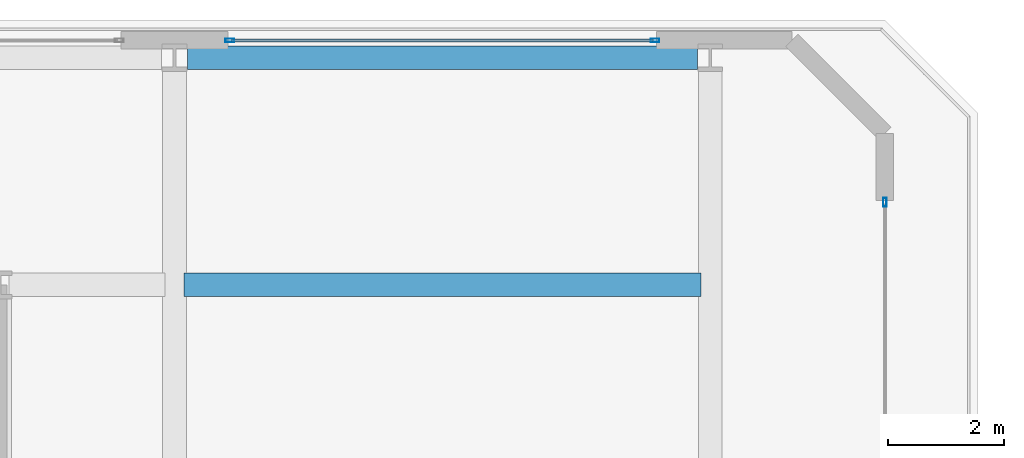
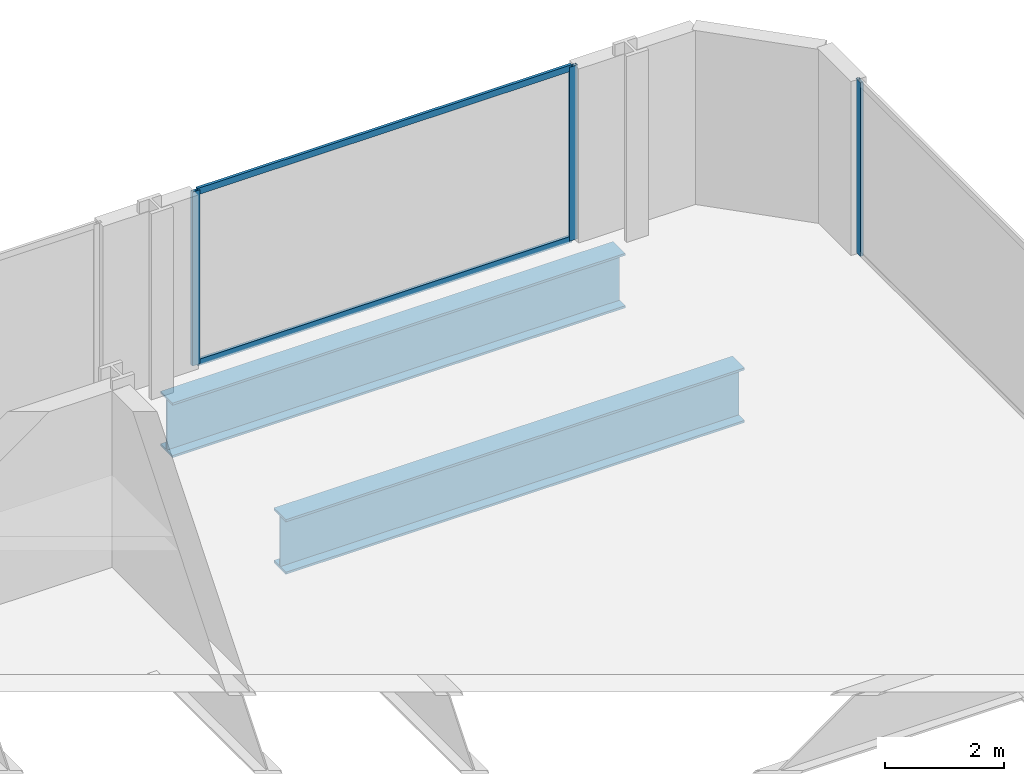
# One storey, part 19 of 26: 5 members, 2 beams, 2 elements without a shape of their own.
"""IFC4 building model written with IfcOpenShell, lengths in metres."""

from ifc_helpers import new_model, si_unit, direction, frame, origin, origin_2d, place, context, subcontext, project, spatial, hollow_rectangle, i_section, extrude, material, layer, layer_set, material_profile, profile_set, type_object, element, aggregate, save


model = new_model("IFC4")

# Units and contexts
model_context = context("Model", 3, precision=1e-05, world=origin(), true_north=direction((0.0, 1.0)))
body_context = subcontext(model_context, "Body", "Model", "MODEL_VIEW")
ifc_project = project(units=[si_unit("LENGTHUNIT", "METRE"), si_unit("AREAUNIT", "SQUARE_METRE"), si_unit("VOLUMEUNIT", "CUBIC_METRE"), si_unit("PLANEANGLEUNIT", "RADIAN"), si_unit("MASSUNIT", "GRAM", prefix="KILO")], contexts=[model_context])

# Site, building, storey
site_placement = place(None, origin())
site = spatial("IfcSite", under=ifc_project, at=site_placement, CompositionType="ELEMENT")
building_placement = place(site_placement, origin())
building = spatial("IfcBuilding", under=site, at=building_placement, Name="Zuhayl Quay Hotel", CompositionType="ELEMENT")
storey_placement = place(building_placement, frame((0.0, 0.0, 301.050048828125)))
storey = spatial("IfcBuildingStorey", under=building, at=storey_placement, Name="Crown 2", CompositionType="ELEMENT", Elevation=301.050048828125)

# Beams
ifc_material_1 = material(Name="Steel ASTM A913 Grade 65", Category="steel")
ifc_material_profile_1 = material_profile(ifc_material_1, i_section(OverallWidth=0.404052734375, OverallDepth=1.117919921875, WebThickness=0.026123046875, FlangeThickness=0.044921875, at=origin_2d()), Name="W44X335")
ifc_profile_set_1 = profile_set([ifc_material_profile_1], Name="Steel ASTM A913 Grade 65")
beam_type = type_object("IfcBeamType", Name="BM_TG1_W44X335", PredefinedType="BEAM", material=ifc_profile_set_1)
beam_1_placement = place(storey_placement, frame((4.760009765625, 34.449951171875, -0.799072265625), z_axis=(1.0, 0.0, 0.0), x_axis=(0.0, 1.0, 0.0)))
element("IfcBeam", 1, at=beam_1_placement, inside=storey, type_object=beam_type, Name="Crown 2 Floor Beam CR_EW_2_2_5", PredefinedType="BEAM", context=body_context, shape_type="SweptSolid", body=[
    extrude(i_section(OverallWidth=0.404052734375, OverallDepth=1.117919921875, WebThickness=0.026123046875, FlangeThickness=0.044921875, at=origin_2d()), origin(), (0.0, 0.0, 1.0), 8.8798828125),
])
beam_2_placement = place(storey_placement, frame((4.820068359375, 38.35009765625, -0.799072265625), z_axis=(1.0, 0.0, 0.0), x_axis=(0.0, 1.0, 0.0)))
element("IfcBeam", 2, at=beam_2_placement, inside=storey, type_object=beam_type, Name="Crown 2 Floor Beam CR_N_E_2", PredefinedType="BEAM", context=body_context, shape_type="SweptSolid", body=[
    extrude(i_section(OverallWidth=0.404052734375, OverallDepth=1.117919921875, WebThickness=0.026123046875, FlangeThickness=0.044921875, at=origin_2d()), origin(), (0.0, 0.0, 1.0), 8.760009765625),
])

# Curtain wall, members
ifc_material_2 = material(Name="Anodised Aluminium 6063-T6", Category="aluminium")
ifc_layer = layer(ifc_material_2, 0.159912109375, Name="Anodised Aluminium 6063-T6", Category="aluminium")
ifc_layer_set = layer_set([ifc_layer], Name="Anodised Aluminium 6063-T6")
curtain_wall_type = type_object("IfcCurtainWallType", Name="CW_SYS_CRN", PredefinedType="USERDEFINED", material=ifc_layer_set)
curtain_wall_1_placement = place(storey_placement, origin())
curtain_wall_1 = element("IfcCurtainWall", 3, at=curtain_wall_1_placement, inside=storey, type_object=curtain_wall_type, Name="Crown 2 Curtain Wall ENV_CR2_E3_CW4", ObjectType="UNITISED CURTAIN WALL", PredefinedType="USERDEFINED")
ifc_material_3 = material(Name="Black-anodised aluminium 6063-T6", Category="aluminium")
ifc_material_profile_2 = material_profile(ifc_material_3, hollow_rectangle(XDim=0.06005859375, YDim=0.14990234375, WallThickness=0.00341796875, at=origin_2d()), Name="ALU150X60")
ifc_profile_set_2 = profile_set([ifc_material_profile_2], Name="Black-anodised aluminium 6063-T6")
member_type_1 = type_object("IfcMemberType", Name="MB_CW_MUL_150", PredefinedType="MULLION", material=ifc_profile_set_2)
member_1_placement = place(storey_placement, frame((5.550048828125, 38.64990234375, 0.0), z_axis=(0.0, 0.0, 1.0), x_axis=(0.0, 1.0, 0.0)))
member_1 = element("IfcMember", 4, at=member_1_placement, type_object=member_type_1, Name="CW-CRN mullion 1", PredefinedType="MULLION", context=body_context, shape_type="SweptSolid", body=[
    extrude(hollow_rectangle(XDim=0.06005859375, YDim=0.14990234375, WallThickness=0.00341796875, at=origin_2d()), origin(), (0.0, 0.0, 1.0), 3.56005859375),
])
member_2_placement = place(storey_placement, frame((12.85009765625, 38.64990234375, 0.0), z_axis=(0.0, 0.0, 1.0), x_axis=(0.0, 1.0, 0.0)))
member_2 = element("IfcMember", 5, at=member_2_placement, type_object=member_type_1, Name="CW-CRN mullion 2", PredefinedType="MULLION", context=body_context, shape_type="SweptSolid", body=[
    extrude(hollow_rectangle(XDim=0.06005859375, YDim=0.14990234375, WallThickness=0.00341796875, at=origin_2d()), origin(), (0.0, 0.0, 1.0), 3.56005859375),
])

# Curtain wall, member
curtain_wall_2_placement = place(storey_placement, origin())
curtain_wall_2 = element("IfcCurtainWall", 6, at=curtain_wall_2_placement, inside=storey, type_object=curtain_wall_type, Name="Crown 2 Curtain Wall ENV_CR2_E5_CW1", ObjectType="UNITISED CURTAIN WALL", PredefinedType="USERDEFINED")
member_3_placement = place(storey_placement, frame((16.800048828125, 35.8701171875, 0.0), z_axis=(0.0, 0.0, 1.0), x_axis=(1.0, 0.0, 0.0)))
member_3 = element("IfcMember", 7, at=member_3_placement, type_object=member_type_1, Name="CW-CRN mullion 1", PredefinedType="MULLION", context=body_context, shape_type="SweptSolid", body=[
    extrude(hollow_rectangle(XDim=0.06005859375, YDim=0.14990234375, WallThickness=0.00341796875, at=origin_2d()), origin(), (0.0, 0.0, 1.0), 3.56005859375),
])
aggregate(curtain_wall_2, [member_3])

# Member
ifc_material_profile_3 = material_profile(ifc_material_3, hollow_rectangle(XDim=0.054931640625, YDim=0.1298828125, WallThickness=0.0029296875, at=origin_2d()), Name="ALU130X55")
ifc_profile_set_3 = profile_set([ifc_material_profile_3], Name="Black-anodised aluminium 6063-T6")
member_type_2 = type_object("IfcMemberType", Name="MB_CW_TRN_130", PredefinedType="USERDEFINED", material=ifc_profile_set_3)
member_4_placement = place(storey_placement, frame((5.580078125, 38.64990234375, 0.02734375), z_axis=(1.0, 0.0, 0.0), x_axis=(0.0, 1.0, 0.0)))
member_4 = element("IfcMember", 8, at=member_4_placement, type_object=member_type_2, Name="CW-CRN transom 1.1", ObjectType="TRANSOM", PredefinedType="USERDEFINED", context=body_context, shape_type="SweptSolid", body=[
    extrude(hollow_rectangle(XDim=0.054931640625, YDim=0.1298828125, WallThickness=0.0029296875, at=origin_2d()), origin(), (0.0, 0.0, 1.0), 7.239990234375),
])

member_5_placement = place(storey_placement, frame((5.580078125, 38.64990234375, 3.532470703125), z_axis=(1.0, 0.0, 0.0), x_axis=(0.0, 1.0, 0.0)))
member_5 = element("IfcMember", 9, at=member_5_placement, type_object=member_type_2, Name="CW-CRN transom 1.2", ObjectType="TRANSOM", PredefinedType="USERDEFINED", context=body_context, shape_type="SweptSolid", body=[
    extrude(hollow_rectangle(XDim=0.054931640625, YDim=0.1298828125, WallThickness=0.0029296875, at=origin_2d()), origin(), (0.0, 0.0, 1.0), 7.239990234375),
])

aggregate(curtain_wall_1, [member_1, member_2, member_4, member_5])

save(model, "model.ifc")
